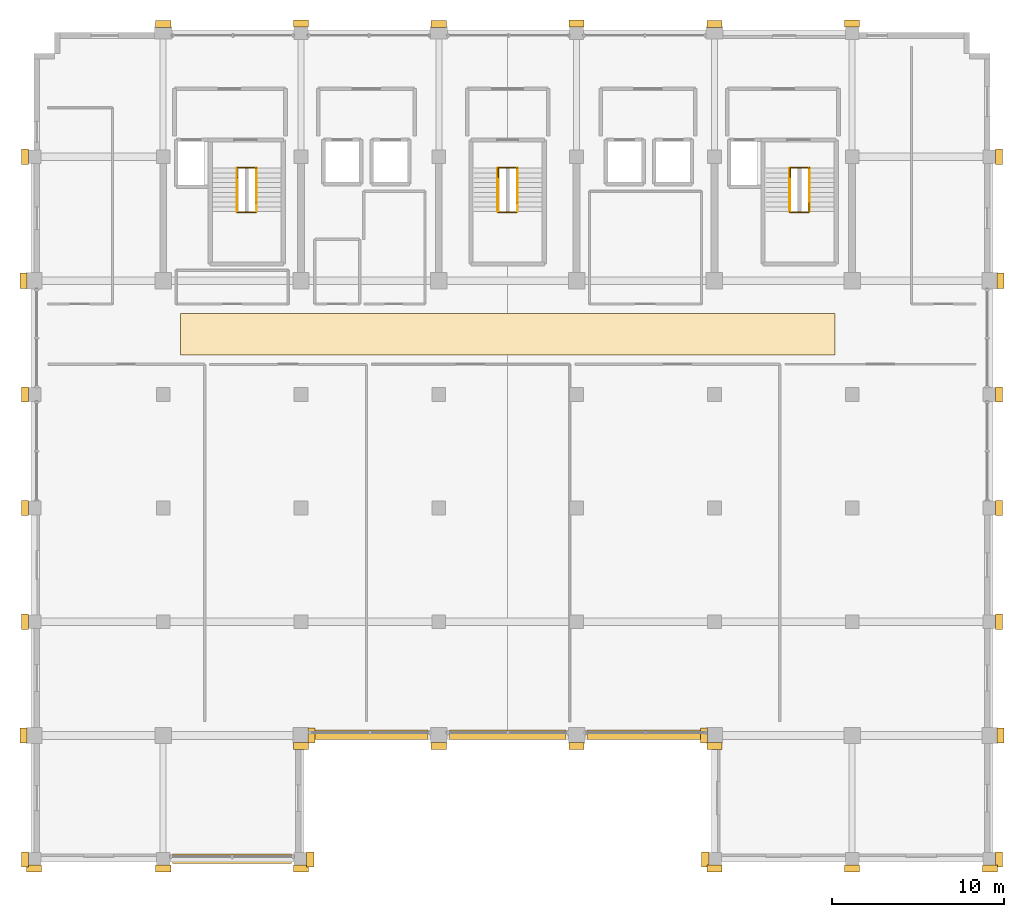
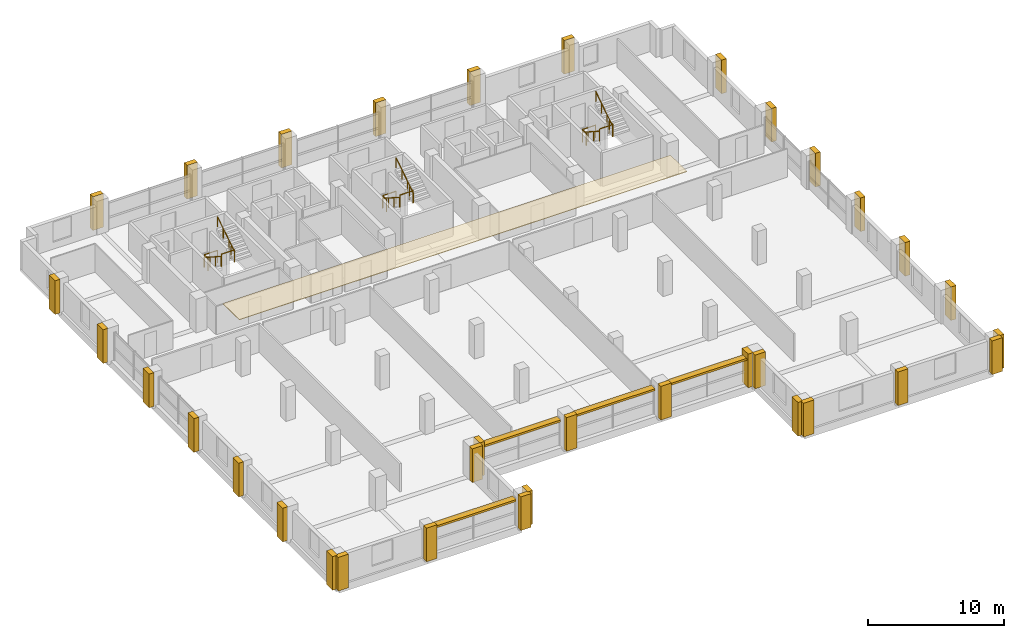
# One storey, part 23 of 23: 35 coverings, 12 railings, 4 shading devices.
"""IFC4 building model written with IfcOpenShell, lengths in metres."""

from ifc_helpers import new_model, si_unit, direction, frame, origin, origin_2d, place, context, subcontext, project, spatial, rectangle, circle, extrude, material, layer, layer_set, type_object, element, save


model = new_model("IFC4")

# Units and contexts
model_context = context("Model", 3, precision=1e-05, world=origin(), true_north=direction((0.0, 1.0)))
body_context = subcontext(model_context, "Body", "Model", "MODEL_VIEW")
ifc_project = project(units=[si_unit("LENGTHUNIT", "METRE"), si_unit("AREAUNIT", "SQUARE_METRE"), si_unit("VOLUMEUNIT", "CUBIC_METRE"), si_unit("PLANEANGLEUNIT", "RADIAN"), si_unit("MASSUNIT", "GRAM", prefix="KILO")], contexts=[model_context])

# Site, building, storey
site_placement = place(None, origin())
site = spatial("IfcSite", under=ifc_project, at=site_placement, CompositionType="ELEMENT")
building_placement = place(site_placement, origin())
building = spatial("IfcBuilding", under=site, at=building_placement, Name="Akrevak Sports Hall", CompositionType="ELEMENT")
storey_placement = place(building_placement, frame((0.0, 0.0, 43.800048828125)))
storey = spatial("IfcBuildingStorey", under=building, at=storey_placement, Name="L10", CompositionType="ELEMENT", Elevation=43.800048828125)

# Coverings
ifc_material_1 = material(Name="Acoustic Timber Slatted Baffle Ceiling", Category="wood")
ifc_layer_1 = layer(ifc_material_1, 0.050048828125, Name="Acoustic Timber Slatted Baffle Ceiling")
ifc_layer_set_1 = layer_set([ifc_layer_1], Name="Acoustic Timber Slatted Baffle Ceiling")
covering_type_1 = type_object("IfcCoveringType", Name="ARC-COV-CLG-BAFF", PredefinedType="CEILING", material=ifc_layer_set_1)
covering_placement = place(storey_placement, frame((80.0, 52.10009765625, 2.9697265625), z_axis=(0.0, 0.0, 1.0), x_axis=(1.0, 0.0, 0.0)))
element("IfcCovering", 1, at=covering_placement, inside=storey, type_object=covering_type_1, Name="Corridor Acoustic Ceiling L10", PredefinedType="CEILING", context=body_context, shape_type="SweptSolid", body=[
    extrude(rectangle(XDim=38.0, YDim=2.39990234375, at=origin_2d()), origin(), (0.0, 0.0, 1.0), 0.050048828125),
])
ifc_material_2 = material(Name="Limestone Ashlar", Category="stone")
ifc_layer_2 = layer(ifc_material_2, 0.47998046875, Name="Limestone Ashlar")
ifc_layer_set_2 = layer_set([ifc_layer_2], Name="Limestone Ashlar")
covering_type_2 = type_object("IfcCoveringType", Name="ARC-COV-PIL-LIM", PredefinedType="CLADDING", material=ifc_layer_set_2)
for number, where, z_axis, x_axis, name in (
    (2, (52.5, 21.070068359375, 0.0), (0.0, 0.0, 1.0), (1.0, 0.0, 0.0), "Giant-Order Limestone Pilaster L10-01-01"),
    (3, (60.0, 21.070068359375, 0.0), (0.0, 0.0, 1.0), (1.0, 0.0, 0.0), "Giant-Order Limestone Pilaster L10-01-02"),
    (4, (68.0, 21.070068359375, 0.0), (0.0, 0.0, 1.0), (1.0, 0.0, 0.0), "Giant-Order Limestone Pilaster L10-01-03"),
    (5, (68.530029296875, 21.60009765625, 0.0), (0.0, 0.0, 1.0), (0.0, 1.0, 0.0), "Giant-Order Limestone Pilaster L10-02-03"),
    (6, (68.60498046875, 28.800048828125, 0.0), (0.0, 0.0, 1.0), (0.0, 1.0, 0.0), "Giant-Order Limestone Pilaster L10-02-04"),
    (7, (68.0, 28.195068359375, 0.0), (0.0, 0.0, 1.0), (1.0, 0.0, 0.0), "Giant-Order Limestone Pilaster L10-03-04"),
    (8, (76.0, 28.195068359375, 0.0), (0.0, 0.0, 1.0), (1.0, 0.0, 0.0), "Giant-Order Limestone Pilaster L10-03-05"),
    (9, (84.0, 28.195068359375, 0.0), (0.0, 0.0, 1.0), (1.0, 0.0, 0.0), "Giant-Order Limestone Pilaster L10-03-06"),
    (10, (92.0, 28.195068359375, 0.0), (0.0, 0.0, 1.0), (1.0, 0.0, 0.0), "Giant-Order Limestone Pilaster L10-03-07"),
    (11, (91.469970703125, 21.60009765625, 0.0), (0.0, 0.0, 1.0), (0.0, -1.0, 0.0), "Giant-Order Limestone Pilaster L10-04-08"),
    (12, (91.39501953125, 28.800048828125, 0.0), (0.0, 0.0, 1.0), (0.0, -1.0, 0.0), "Giant-Order Limestone Pilaster L10-04-08"),
    (13, (92.0, 21.070068359375, 0.0), (0.0, 0.0, 1.0), (1.0, 0.0, 0.0), "Giant-Order Limestone Pilaster L10-05-08"),
    (14, (100.0, 21.070068359375, 0.0), (0.0, 0.0, 1.0), (1.0, 0.0, 0.0), "Giant-Order Limestone Pilaster L10-05-09"),
    (15, (108.0, 21.070068359375, 0.0), (0.0, 0.0, 1.0), (1.0, 0.0, 0.0), "Giant-Order Limestone Pilaster L10-05-10"),
    (16, (108.530029296875, 21.60009765625, 0.0), (0.0, 0.0, 1.0), (0.0, 1.0, 0.0), "Giant-Order Limestone Pilaster L10-06-10"),
    (17, (108.60498046875, 28.800048828125, 0.0), (0.0, 0.0, 1.0), (0.0, 1.0, 0.0), "Giant-Order Limestone Pilaster L10-06-11"),
    (18, (108.530029296875, 35.39990234375, 0.0), (0.0, 0.0, 1.0), (0.0, 1.0, 0.0), "Giant-Order Limestone Pilaster L10-06-12"),
    (19, (108.530029296875, 42.0, 0.0), (0.0, 0.0, 1.0), (0.0, 1.0, 0.0), "Giant-Order Limestone Pilaster L10-06-13"),
    (20, (108.530029296875, 48.60009765625, 0.0), (0.0, 0.0, 1.0), (0.0, 1.0, 0.0), "Giant-Order Limestone Pilaster L10-06-14"),
    (21, (108.60498046875, 55.199951171875, 0.0), (0.0, 0.0, 1.0), (0.0, 1.0, 0.0), "Giant-Order Limestone Pilaster L10-06-15"),
    (22, (108.530029296875, 62.39990234375, 0.0), (0.0, 0.0, 1.0), (0.0, 1.0, 0.0), "Giant-Order Limestone Pilaster L10-06-16"),
    (23, (60.0, 70.10498046875, 0.0), (0.0, 0.0, 1.0), (-1.0, 0.0, 0.0), "Giant-Order Limestone Pilaster L10-09-17"),
    (24, (68.0, 70.1298828125, 0.0), (0.0, 0.0, 1.0), (-1.0, 0.0, 0.0), "Giant-Order Limestone Pilaster L10-09-18"),
    (25, (76.0, 70.10498046875, 0.0), (0.0, 0.0, 1.0), (-1.0, 0.0, 0.0), "Giant-Order Limestone Pilaster L10-09-19"),
    (26, (84.0, 70.1298828125, 0.0), (0.0, 0.0, 1.0), (-1.0, 0.0, 0.0), "Giant-Order Limestone Pilaster L10-09-20"),
    (27, (92.0, 70.10498046875, 0.0), (0.0, 0.0, 1.0), (-1.0, 0.0, 0.0), "Giant-Order Limestone Pilaster L10-09-21"),
    (28, (100.0, 70.1298828125, 0.0), (0.0, 0.0, 1.0), (-1.0, 0.0, 0.0), "Giant-Order Limestone Pilaster L10-09-22"),
    (29, (51.969970703125, 21.60009765625, 0.0), (0.0, 0.0, 1.0), (0.0, -1.0, 0.0), "Giant-Order Limestone Pilaster L10-12-22"),
    (30, (51.89501953125, 28.800048828125, 0.0), (0.0, 0.0, 1.0), (0.0, -1.0, 0.0), "Giant-Order Limestone Pilaster L10-12-23"),
    (31, (51.969970703125, 35.39990234375, 0.0), (0.0, 0.0, 1.0), (0.0, -1.0, 0.0), "Giant-Order Limestone Pilaster L10-12-24"),
    (32, (51.969970703125, 42.0, 0.0), (0.0, 0.0, 1.0), (0.0, -1.0, 0.0), "Giant-Order Limestone Pilaster L10-12-25"),
    (33, (51.969970703125, 48.60009765625, 0.0), (0.0, 0.0, 1.0), (0.0, -1.0, 0.0), "Giant-Order Limestone Pilaster L10-12-26"),
    (34, (51.89501953125, 55.199951171875, 0.0), (0.0, 0.0, 1.0), (0.0, -1.0, 0.0), "Giant-Order Limestone Pilaster L10-12-27"),
    (35, (51.969970703125, 62.39990234375, 0.0), (0.0, 0.0, 1.0), (0.0, -1.0, 0.0), "Giant-Order Limestone Pilaster L10-12-28"),
):
    element("IfcCovering", number, at=place(storey_placement, frame(where, z_axis=z_axis, x_axis=x_axis)), inside=storey, type_object=covering_type_2, Name=name, PredefinedType="CLADDING", context=body_context, shape_type="SweptSolid", body=[
        extrude(rectangle(XDim=0.8798828125, YDim=0.419921875, at=origin_2d()), origin(), (0.0, 0.0, 1.0), 3.02001953125),
    ])

# Railings
ifc_material_3 = material(Name="Painted Architectural Balustrade Steel", Category="steel")
ifc_layer_3 = layer(ifc_material_3, 0.06005859375, Name="Painted Architectural Balustrade Steel")
ifc_layer_set_3 = layer_set([ifc_layer_3], Name="Painted Architectural Balustrade Steel")
railing_type_1 = type_object("IfcRailingType", Name="ARC-RL-GRD-1120", PredefinedType="GUARDRAIL", material=ifc_layer_set_3)
railing_1_placement = place(storey_placement, frame((64.31005859375, 61.215087890625, 0.0)))
element("IfcRailing", 36, at=railing_1_placement, inside=storey, type_object=railing_type_1, Name="Stair Floor Landing Well Guard ST1 (L10)", PredefinedType="GUARDRAIL", context=body_context, shape_type="SweptSolid", body=[
    extrude(circle(Radius=0.02392578125, at=origin_2d()), frame((0.0, 0.0, 1.09619140625), z_axis=(0.0, 1.0, 0.0), x_axis=(-1.0, 0.0, 0.0)), (0.0, 0.0, 1.0), 0.5498046875),
    extrude(circle(Radius=0.02392578125, at=origin_2d()), frame((0.0, 0.5498046875, 1.09619140625), z_axis=(1.0, 0.0, 0.0), x_axis=(0.0, 1.0, 0.0)), (0.0, 0.0, 1.0), 1.10986328125),
    extrude(circle(Radius=0.02099609375, at=origin_2d()), origin(), (0.0, 0.0, 1.0), 1.072021484375),
    extrude(circle(Radius=0.02099609375, at=origin_2d()), frame((0.0, 0.5498046875, 0.0)), (0.0, 0.0, 1.0), 1.072021484375),
    extrude(circle(Radius=0.02099609375, at=origin_2d()), frame((1.10986328125, 0.5498046875, 0.0)), (0.0, 0.0, 1.0), 1.072021484375),
])
railing_2_placement = place(storey_placement, frame((64.280029296875, 59.18505859375, 1.625)))
element("IfcRailing", 37, at=railing_2_placement, inside=storey, type_object=railing_type_1, Name="Stair Landing Well Guard ST1-L10-1", PredefinedType="GUARDRAIL", context=body_context, shape_type="SweptSolid", body=[
    extrude(circle(Radius=0.02392578125, at=origin_2d()), frame((0.0, 0.0, 1.09619140625), z_axis=(1.0, 0.0, 0.0), x_axis=(0.0, 1.0, 0.0)), (0.0, 0.0, 1.0), 1.10986328125),
    extrude(circle(Radius=0.02392578125, at=origin_2d()), frame((1.10986328125, 0.0, 1.09619140625), z_axis=(0.0, 1.0, 0.0), x_axis=(-1.0, 0.0, 0.0)), (0.0, 0.0, 1.0), 0.52001953125),
    extrude(circle(Radius=0.02099609375, at=origin_2d()), origin(), (0.0, 0.0, 1.0), 1.072021484375),
    extrude(circle(Radius=0.02099609375, at=origin_2d()), frame((1.10986328125, 0.0, 0.0)), (0.0, 0.0, 1.0), 1.072021484375),
    extrude(circle(Radius=0.02099609375, at=origin_2d()), frame((1.10986328125, 0.52001953125, 0.0)), (0.0, 0.0, 1.0), 1.072021484375),
])
railing_3_placement = place(storey_placement, frame((96.409912109375, 61.215087890625, 0.0)))
element("IfcRailing", 38, at=railing_3_placement, inside=storey, type_object=railing_type_1, Name="Stair Floor Landing Well Guard ST2 (L10)", PredefinedType="GUARDRAIL", context=body_context, shape_type="SweptSolid", body=[
    extrude(circle(Radius=0.02392578125, at=origin_2d()), frame((0.0, 0.0, 1.09619140625), z_axis=(0.0, 1.0, 0.0), x_axis=(-1.0, 0.0, 0.0)), (0.0, 0.0, 1.0), 0.5498046875),
    extrude(circle(Radius=0.02392578125, at=origin_2d()), frame((0.0, 0.5498046875, 1.09619140625), z_axis=(1.0, 0.0, 0.0), x_axis=(0.0, 1.0, 0.0)), (0.0, 0.0, 1.0), 1.110107421875),
    extrude(circle(Radius=0.02099609375, at=origin_2d()), origin(), (0.0, 0.0, 1.0), 1.072021484375),
    extrude(circle(Radius=0.02099609375, at=origin_2d()), frame((0.0, 0.5498046875, 0.0)), (0.0, 0.0, 1.0), 1.072021484375),
    extrude(circle(Radius=0.02099609375, at=origin_2d()), frame((1.110107421875, 0.5498046875, 0.0)), (0.0, 0.0, 1.0), 1.072021484375),
])
railing_4_placement = place(storey_placement, frame((96.3798828125, 59.18505859375, 1.625)))
element("IfcRailing", 39, at=railing_4_placement, inside=storey, type_object=railing_type_1, Name="Stair Landing Well Guard ST2-L10-1", PredefinedType="GUARDRAIL", context=body_context, shape_type="SweptSolid", body=[
    extrude(circle(Radius=0.02392578125, at=origin_2d()), frame((0.0, 0.0, 1.09619140625), z_axis=(1.0, 0.0, 0.0), x_axis=(0.0, 1.0, 0.0)), (0.0, 0.0, 1.0), 1.110107421875),
    extrude(circle(Radius=0.02392578125, at=origin_2d()), frame((1.110107421875, 0.0, 1.09619140625), z_axis=(0.0, 1.0, 0.0), x_axis=(-1.0, 0.0, 0.0)), (0.0, 0.0, 1.0), 0.52001953125),
    extrude(circle(Radius=0.02099609375, at=origin_2d()), origin(), (0.0, 0.0, 1.0), 1.072021484375),
    extrude(circle(Radius=0.02099609375, at=origin_2d()), frame((1.110107421875, 0.0, 0.0)), (0.0, 0.0, 1.0), 1.072021484375),
    extrude(circle(Radius=0.02099609375, at=origin_2d()), frame((1.110107421875, 0.52001953125, 0.0)), (0.0, 0.0, 1.0), 1.072021484375),
])
railing_5_placement = place(storey_placement, frame((79.4599609375, 61.215087890625, 0.0)))
element("IfcRailing", 40, at=railing_5_placement, inside=storey, type_object=railing_type_1, Name="Stair Floor Landing Well Guard ST3 (L10)", PredefinedType="GUARDRAIL", context=body_context, shape_type="SweptSolid", body=[
    extrude(circle(Radius=0.02392578125, at=origin_2d()), frame((0.0, 0.0, 1.09619140625), z_axis=(0.0, 1.0, 0.0), x_axis=(-1.0, 0.0, 0.0)), (0.0, 0.0, 1.0), 0.5498046875),
    extrude(circle(Radius=0.02392578125, at=origin_2d()), frame((0.0, 0.5498046875, 1.09619140625), z_axis=(1.0, 0.0, 0.0), x_axis=(0.0, 1.0, 0.0)), (0.0, 0.0, 1.0), 1.110107421875),
    extrude(circle(Radius=0.02099609375, at=origin_2d()), origin(), (0.0, 0.0, 1.0), 1.072021484375),
    extrude(circle(Radius=0.02099609375, at=origin_2d()), frame((0.0, 0.5498046875, 0.0)), (0.0, 0.0, 1.0), 1.072021484375),
    extrude(circle(Radius=0.02099609375, at=origin_2d()), frame((1.110107421875, 0.5498046875, 0.0)), (0.0, 0.0, 1.0), 1.072021484375),
])
railing_6_placement = place(storey_placement, frame((79.429931640625, 59.18505859375, 1.625)))
element("IfcRailing", 41, at=railing_6_placement, inside=storey, type_object=railing_type_1, Name="Stair Landing Well Guard ST3-L10-1", PredefinedType="GUARDRAIL", context=body_context, shape_type="SweptSolid", body=[
    extrude(circle(Radius=0.02392578125, at=origin_2d()), frame((0.0, 0.0, 1.09619140625), z_axis=(1.0, 0.0, 0.0), x_axis=(0.0, 1.0, 0.0)), (0.0, 0.0, 1.0), 1.110107421875),
    extrude(circle(Radius=0.02392578125, at=origin_2d()), frame((1.110107421875, 0.0, 1.09619140625), z_axis=(0.0, 1.0, 0.0), x_axis=(-1.0, 0.0, 0.0)), (0.0, 0.0, 1.0), 0.52001953125),
    extrude(circle(Radius=0.02099609375, at=origin_2d()), origin(), (0.0, 0.0, 1.0), 1.072021484375),
    extrude(circle(Radius=0.02099609375, at=origin_2d()), frame((1.110107421875, 0.0, 0.0)), (0.0, 0.0, 1.0), 1.072021484375),
    extrude(circle(Radius=0.02099609375, at=origin_2d()), frame((1.110107421875, 0.52001953125, 0.0)), (0.0, 0.0, 1.0), 1.072021484375),
])
ifc_material_4 = material(Name="Brushed Stainless Steel 304", Category="steel")
ifc_layer_4 = layer(ifc_material_4, 0.050048828125, Name="Brushed Stainless Steel 304")
ifc_layer_set_4 = layer_set([ifc_layer_4], Name="Brushed Stainless Steel 304")
railing_type_2 = type_object("IfcRailingType", Name="ARC-RL-HND-900", PredefinedType="HANDRAIL", material=ifc_layer_set_4)
railing_7_placement = place(storey_placement, frame((64.280029296875, 61.735107421875, 0.0)))
element("IfcRailing", 42, at=railing_7_placement, inside=storey, type_object=railing_type_2, Name="Stair Handrail ST1-L10-F1", PredefinedType="HANDRAIL", context=body_context, shape_type="SweptSolid", body=[
    extrude(circle(Radius=0.02392578125, at=origin_2d()), frame((0.0, 0.0, 0.8759765625), z_axis=(0.0, -0.840421059866, 0.541933983188), x_axis=(1.0, 0.0, 0.0)), (0.0, 0.0, 1.0), 2.99853515625),
    extrude(circle(Radius=0.02099609375, at=origin_2d()), origin(), (0.0, 0.0, 1.0), 0.851806640625),
    extrude(circle(Radius=0.02099609375, at=origin_2d()), frame((0.0, -0.840087890625, 0.541748046875)), (0.0, 0.0, 1.0), 0.851806640625),
    extrude(circle(Radius=0.02099609375, at=origin_2d()), frame((0.0, -1.679931640625, 1.083251953125)), (0.0, 0.0, 1.0), 0.851806640625),
    extrude(circle(Radius=0.02099609375, at=origin_2d()), frame((0.0, -2.52001953125, 1.625)), (0.0, 0.0, 1.0), 0.851806640625),
])
railing_8_placement = place(storey_placement, frame((65.419921875, 59.215087890625, 1.625)))
element("IfcRailing", 43, at=railing_8_placement, inside=storey, type_object=railing_type_2, Name="Stair Handrail ST1-L10-F2", PredefinedType="HANDRAIL", context=body_context, shape_type="SweptSolid", body=[
    extrude(circle(Radius=0.02392578125, at=origin_2d()), frame((0.0, 0.0, 0.8759765625), z_axis=(0.0, 0.840421059866, 0.541933983188), x_axis=(-1.0, 0.0, 0.0)), (0.0, 0.0, 1.0), 2.99853515625),
    extrude(circle(Radius=0.02099609375, at=origin_2d()), origin(), (0.0, 0.0, 1.0), 0.851806640625),
    extrude(circle(Radius=0.02099609375, at=origin_2d()), frame((0.0, 0.840087890625, 0.541748046875)), (0.0, 0.0, 1.0), 0.851806640625),
    extrude(circle(Radius=0.02099609375, at=origin_2d()), frame((0.0, 1.679931640625, 1.083251953125)), (0.0, 0.0, 1.0), 0.851806640625),
    extrude(circle(Radius=0.02099609375, at=origin_2d()), frame((0.0, 2.52001953125, 1.625)), (0.0, 0.0, 1.0), 0.851806640625),
])
railing_9_placement = place(storey_placement, frame((96.3798828125, 61.735107421875, 0.0)))
element("IfcRailing", 44, at=railing_9_placement, inside=storey, type_object=railing_type_2, Name="Stair Handrail ST2-L10-F1", PredefinedType="HANDRAIL", context=body_context, shape_type="SweptSolid", body=[
    extrude(circle(Radius=0.02392578125, at=origin_2d()), frame((0.0, 0.0, 0.8759765625), z_axis=(0.0, -0.840421059866, 0.541933983188), x_axis=(1.0, 0.0, 0.0)), (0.0, 0.0, 1.0), 2.99853515625),
    extrude(circle(Radius=0.02099609375, at=origin_2d()), origin(), (0.0, 0.0, 1.0), 0.851806640625),
    extrude(circle(Radius=0.02099609375, at=origin_2d()), frame((0.0, -0.840087890625, 0.541748046875)), (0.0, 0.0, 1.0), 0.851806640625),
    extrude(circle(Radius=0.02099609375, at=origin_2d()), frame((0.0, -1.679931640625, 1.083251953125)), (0.0, 0.0, 1.0), 0.851806640625),
    extrude(circle(Radius=0.02099609375, at=origin_2d()), frame((0.0, -2.52001953125, 1.625)), (0.0, 0.0, 1.0), 0.851806640625),
])
railing_10_placement = place(storey_placement, frame((97.52001953125, 59.215087890625, 1.625)))
element("IfcRailing", 45, at=railing_10_placement, inside=storey, type_object=railing_type_2, Name="Stair Handrail ST2-L10-F2", PredefinedType="HANDRAIL", context=body_context, shape_type="SweptSolid", body=[
    extrude(circle(Radius=0.02392578125, at=origin_2d()), frame((0.0, 0.0, 0.8759765625), z_axis=(0.0, 0.840421059866, 0.541933983188), x_axis=(-1.0, 0.0, 0.0)), (0.0, 0.0, 1.0), 2.99853515625),
    extrude(circle(Radius=0.02099609375, at=origin_2d()), origin(), (0.0, 0.0, 1.0), 0.851806640625),
    extrude(circle(Radius=0.02099609375, at=origin_2d()), frame((0.0, 0.840087890625, 0.541748046875)), (0.0, 0.0, 1.0), 0.851806640625),
    extrude(circle(Radius=0.02099609375, at=origin_2d()), frame((0.0, 1.679931640625, 1.083251953125)), (0.0, 0.0, 1.0), 0.851806640625),
    extrude(circle(Radius=0.02099609375, at=origin_2d()), frame((0.0, 2.52001953125, 1.625)), (0.0, 0.0, 1.0), 0.851806640625),
])
railing_11_placement = place(storey_placement, frame((79.429931640625, 61.735107421875, 0.0)))
element("IfcRailing", 46, at=railing_11_placement, inside=storey, type_object=railing_type_2, Name="Stair Handrail ST3-L10-F1", PredefinedType="HANDRAIL", context=body_context, shape_type="SweptSolid", body=[
    extrude(circle(Radius=0.02392578125, at=origin_2d()), frame((0.0, 0.0, 0.8759765625), z_axis=(0.0, -0.840421059866, 0.541933983188), x_axis=(1.0, 0.0, 0.0)), (0.0, 0.0, 1.0), 2.99853515625),
    extrude(circle(Radius=0.02099609375, at=origin_2d()), origin(), (0.0, 0.0, 1.0), 0.851806640625),
    extrude(circle(Radius=0.02099609375, at=origin_2d()), frame((0.0, -0.840087890625, 0.541748046875)), (0.0, 0.0, 1.0), 0.851806640625),
    extrude(circle(Radius=0.02099609375, at=origin_2d()), frame((0.0, -1.679931640625, 1.083251953125)), (0.0, 0.0, 1.0), 0.851806640625),
    extrude(circle(Radius=0.02099609375, at=origin_2d()), frame((0.0, -2.52001953125, 1.625)), (0.0, 0.0, 1.0), 0.851806640625),
])
railing_12_placement = place(storey_placement, frame((80.570068359375, 59.215087890625, 1.625)))
element("IfcRailing", 47, at=railing_12_placement, inside=storey, type_object=railing_type_2, Name="Stair Handrail ST3-L10-F2", PredefinedType="HANDRAIL", context=body_context, shape_type="SweptSolid", body=[
    extrude(circle(Radius=0.02392578125, at=origin_2d()), frame((0.0, 0.0, 0.8759765625), z_axis=(0.0, 0.840421059866, 0.541933983188), x_axis=(-1.0, 0.0, 0.0)), (0.0, 0.0, 1.0), 2.99853515625),
    extrude(circle(Radius=0.02099609375, at=origin_2d()), origin(), (0.0, 0.0, 1.0), 0.851806640625),
    extrude(circle(Radius=0.02099609375, at=origin_2d()), frame((0.0, 0.840087890625, 0.541748046875)), (0.0, 0.0, 1.0), 0.851806640625),
    extrude(circle(Radius=0.02099609375, at=origin_2d()), frame((0.0, 1.679931640625, 1.083251953125)), (0.0, 0.0, 1.0), 0.851806640625),
    extrude(circle(Radius=0.02099609375, at=origin_2d()), frame((0.0, 2.52001953125, 1.625)), (0.0, 0.0, 1.0), 0.851806640625),
])

# Shading devices
ifc_material_5 = material(Name="Anodized Bronze Aluminium", Category="aluminium")
shading_device_type = type_object("IfcShadingDeviceType", Name="ARC-SHD-BRZ-300", PredefinedType="JALOUSIE", material=ifc_material_5)
shading_device_placement = place(storey_placement, frame((64.0, 21.639892578125, 2.33984375), z_axis=(0.0, 0.0, 1.0), x_axis=(1.0, 0.0, 0.0)))
element("IfcShadingDevice", 48, at=shading_device_placement, inside=storey, type_object=shading_device_type, Name="Tower Bronze Louvre SH-19", PredefinedType="JALOUSIE", context=body_context, shape_type="SweptSolid", body=[
    extrude(rectangle(XDim=6.912109375, YDim=0.5400390625, at=origin_2d()), origin(), (0.0, 0.0, 1.0), 0.179931640625),
])
for number, where, z_axis, x_axis, name in (
    (49, (72.0, 28.840087890625, 2.33984375), (0.0, 0.0, 1.0), (1.0, 0.0, 0.0), "Tower Bronze Louvre SH-20"),
    (50, (80.0, 28.840087890625, 2.33984375), (0.0, 0.0, 1.0), (1.0, 0.0, 0.0), "Tower Bronze Louvre SH-21"),
    (51, (88.0, 28.840087890625, 2.33984375), (0.0, 0.0, 1.0), (1.0, 0.0, 0.0), "Tower Bronze Louvre SH-22"),
):
    element("IfcShadingDevice", number, at=place(storey_placement, frame(where, z_axis=z_axis, x_axis=x_axis)), inside=storey, type_object=shading_device_type, Name=name, PredefinedType="JALOUSIE", context=body_context, shape_type="SweptSolid", body=[
        extrude(rectangle(XDim=6.76806640625, YDim=0.5400390625, at=origin_2d()), origin(), (0.0, 0.0, 1.0), 0.179931640625),
    ])

save(model, "model.ifc")
